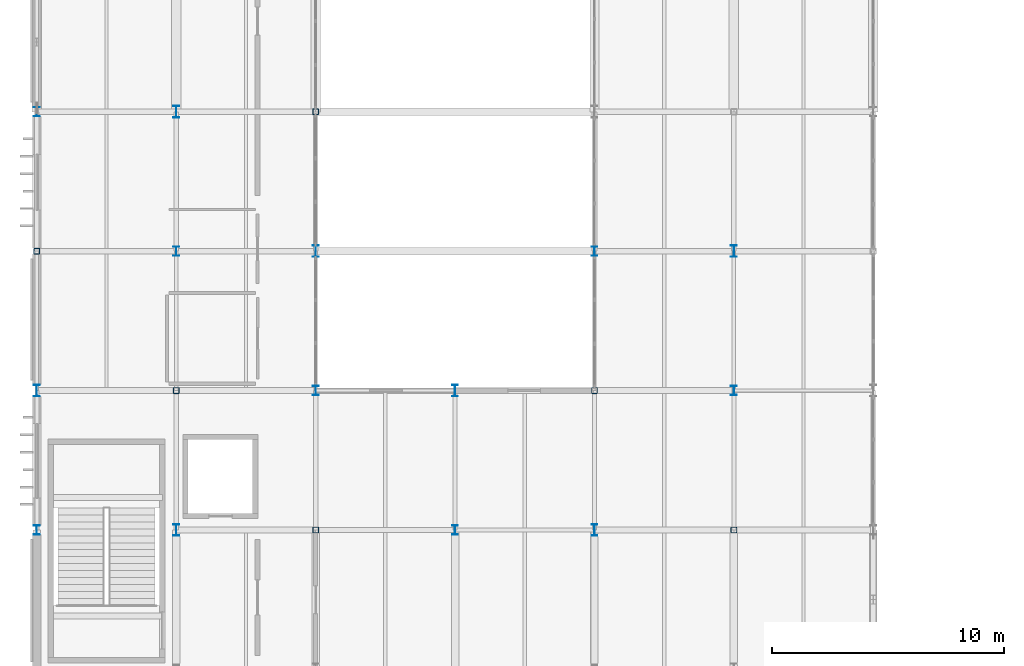
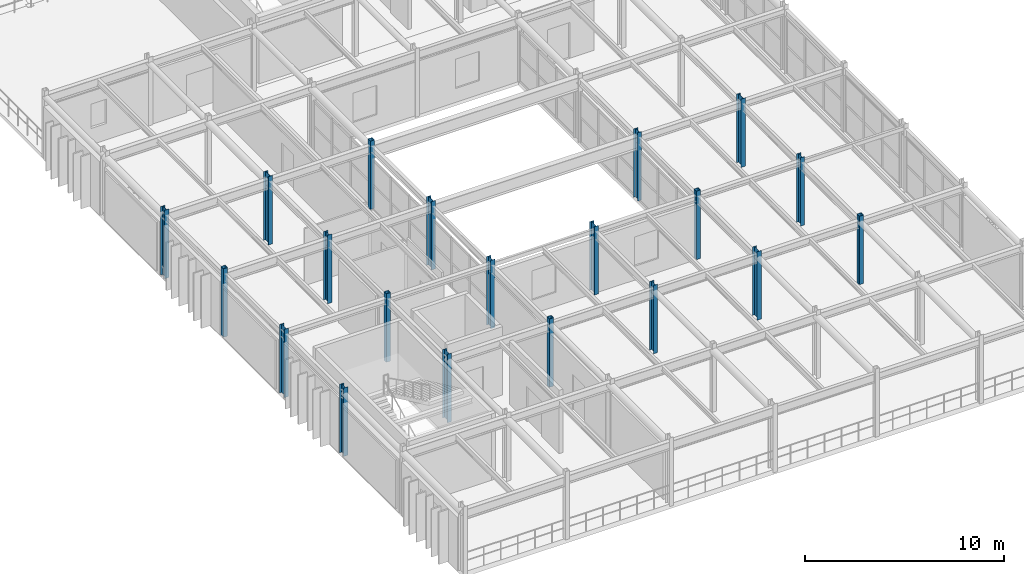
# One storey, part 3 of 83: 20 columns.
"""IFC4 building model written with IfcOpenShell, lengths in metres."""

import ifcopenshell
import ifcopenshell.guid

model = None  # the IFC model being written
_history = None  # IfcOwnerHistory: only IFC2X3 demands one
_inside = {}  # id of a spatial element -> (the spatial element, [elements in it])
_under = {}  # id of a project, library or spatial element -> (it, [spatial elements below it])
_declared = {}  # id of a project -> (the project, [libraries it declares])
_typed = {}  # id of a type object -> (the type object, [elements of that type])
_made_of = {}  # id of a material, layer set ... -> (it, [elements and type objects made of it])


def new_model(schema):
    """Start an empty IFC model of exactly this schema.

    Asked for "IFC4X3", IfcOpenShell would pick the latest addendum, in which some entities
    have other attributes; the version numbers below select the first issue.
    IFC2X3 requires an IfcOwnerHistory on every rooted entity: one is made here for all.
    """
    global model, _history
    if schema == "IFC4X3":
        model = ifcopenshell.file(schema_version=(4, 3, 0, 0))
    else:
        model = ifcopenshell.file(schema=schema)
    _inside.clear()
    _under.clear()
    _declared.clear()
    _typed.clear()
    _made_of.clear()
    _history = None
    if model.schema == "IFC2X3":
        org = make("IfcOrganization", Name="unknown")
        user = make(
            "IfcPersonAndOrganization",
            ThePerson=make("IfcPerson", FamilyName="unknown"),
            TheOrganization=org,
        )
        app = make(
            "IfcApplication",
            ApplicationDeveloper=org,
            Version="unknown",
            ApplicationFullName="unknown",
            ApplicationIdentifier="unknown",
        )
        _history = make(
            "IfcOwnerHistory",
            OwningUser=user,
            OwningApplication=app,
            ChangeAction="ADDED",
            CreationDate=0,
        )
    return model


def make(cls, **values):
    """One entity of the class cls with the attributes given. An attribute that is None is left unset."""
    return model.create_entity(
        cls, **{name: value for name, value in values.items() if value is not None}
    )


def rooted(cls, **values):
    """An entity with a GlobalId (a new one), such as an element, a storey or a relation."""
    return make(cls, GlobalId=ifcopenshell.guid.new(), OwnerHistory=_history, **values)


def si_unit(unit_type, name, prefix=None):
    """IfcSIUnit, for example si_unit("LENGTHUNIT", "METRE", prefix="MILLI")."""
    return make("IfcSIUnit", UnitType=unit_type, Prefix=prefix, Name=name)


def assignment(units):
    """IfcUnitAssignment: the units of a project."""
    return None if units is None else make("IfcUnitAssignment", Units=units)


def point(xyz):
    """IfcCartesianPoint."""
    return None if xyz is None else make("IfcCartesianPoint", Coordinates=xyz)


def direction(xyz):
    """IfcDirection."""
    return None if xyz is None else make("IfcDirection", DirectionRatios=xyz)


def frame(location, z_axis=None, x_axis=None):
    """IfcAxis2Placement3D, a coordinate frame: its origin and axes. An axis left out is left unset."""
    return make(
        "IfcAxis2Placement3D",
        Location=point(location),
        Axis=direction(z_axis),
        RefDirection=direction(x_axis),
    )


def frame_2d(location, x_axis=None):
    """IfcAxis2Placement2D, a coordinate frame in the plane: its origin and x axis."""
    return make(
        "IfcAxis2Placement2D", Location=point(location), RefDirection=direction(x_axis)
    )


def origin():
    """The frame at (0, 0, 0) with its axes left unset."""
    return frame((0.0, 0.0, 0.0))


def origin_2d():
    """The frame at (0, 0) in the plane with its x axis left unset."""
    return frame_2d((0.0, 0.0))


def place(relative_to, where):
    """IfcLocalPlacement: puts the frame where relative to a parent placement (None: the world)."""
    return make(
        "IfcLocalPlacement", PlacementRelTo=relative_to, RelativePlacement=where
    )


def context(
    kind, dimensions, precision=None, world=None, true_north=None, identifier=None
):
    """IfcGeometricRepresentationContext, for example the 3D "Model" context."""
    return make(
        "IfcGeometricRepresentationContext",
        ContextIdentifier=identifier,
        ContextType=kind,
        CoordinateSpaceDimension=dimensions,
        Precision=precision,
        WorldCoordinateSystem=world,
        TrueNorth=true_north,
    )


def subcontext(parent, identifier, kind, view, scale=None):
    """IfcGeometricRepresentationSubContext, for example "Body" below "Model"."""
    return make(
        "IfcGeometricRepresentationSubContext",
        ContextIdentifier=identifier,
        ContextType=kind,
        ParentContext=parent,
        TargetScale=scale,
        TargetView=view,
    )


def project(units=None, contexts=None):
    """IfcProject with its units and contexts."""
    return rooted(
        "IfcProject",
        Name="project",
        RepresentationContexts=contexts,
        UnitsInContext=assignment(units),
    )


def spatial(cls, under=None, at=None, **own):
    """A site, building, storey or space (cls), placed at a placement, below another one or the project."""
    s = rooted(cls, ObjectPlacement=at, **own)
    if under is not None:
        _under.setdefault(under.id(), (under, []))[1].append(s)
    return s


def profile(cls, at=None, kind="AREA", **sizes):
    """A parametric profile (cls). Its sizes go by their IFC names, for example OverallWidth=200.0."""
    return make(cls, ProfileType=kind, Position=at, **sizes)


def hollow_rectangle(**sizes):
    """IfcRectangleHollowProfileDef."""
    return profile("IfcRectangleHollowProfileDef", **sizes)


def i_section(**sizes):
    """IfcIShapeProfileDef."""
    return profile("IfcIShapeProfileDef", **sizes)


def extrude(swept, where, along, depth):
    """IfcExtrudedAreaSolid: the profile swept, set in the frame where, extruded along a direction by depth."""
    return make(
        "IfcExtrudedAreaSolid",
        SweptArea=swept,
        Position=where,
        ExtrudedDirection=direction(along),
        Depth=depth,
    )


def shape(context_of_items, identifier, shape_type, items):
    """IfcShapeRepresentation: the items that make up one representation, for example the "Body"."""
    return make(
        "IfcShapeRepresentation",
        ContextOfItems=context_of_items,
        RepresentationIdentifier=identifier,
        RepresentationType=shape_type,
        Items=items,
    )


def material(Name=None, Category=None):
    """IfcMaterial."""
    return make("IfcMaterial", Name=Name, Category=Category)


def material_profile(
    of_material, cross_section, Name=None, Category=None, Priority=None
):
    """IfcMaterialProfile: a cross section and its material."""
    return make(
        "IfcMaterialProfile",
        Name=Name,
        Material=of_material,
        Profile=cross_section,
        Priority=Priority,
        Category=Category,
    )


def profile_set(profiles, Name=None, composite=None):
    """IfcMaterialProfileSet."""
    return make(
        "IfcMaterialProfileSet",
        Name=Name,
        MaterialProfiles=profiles,
        CompositeProfile=composite,
    )


def made_of(thing, what):
    """Note that an element or type object is made of a material, layer set ...; save() writes the relation."""
    if what is not None:
        _made_of.setdefault(what.id(), (what, []))[1].append(thing)
    return thing


def type_object(cls, material=None, **own):
    """A type object (cls), such as IfcWallType, which elements share."""
    return made_of(rooted(cls, **own), material)


def element(
    cls,
    number,
    at=None,
    inside=None,
    cuts=None,
    type_object=None,
    material=None,
    context=None,
    identifier="Body",
    shape_type=None,
    held_by="IfcProductDefinitionShape",
    body=None,
    shapes=None,
    **own,
):
    """One element of the class cls, such as IfcWall. Its Tag is "e" and its number.

    at: its placement. inside: the storey or other place that contains it. cuts: it is an
    opening in that element (IfcRelVoidsElement). A single representation is given by context,
    identifier, shape_type and body (its items); several are given by shapes. held_by: the class
    of the entity that holds the representations. save() writes the other relations.
    """
    e = rooted(cls, Tag="e%d" % number, ObjectPlacement=at, **own)
    if body is not None:
        shapes = [shape(context, identifier, shape_type, body)]
    if shapes is not None:
        e.Representation = make(held_by, Representations=shapes)
    if inside is not None:
        _inside.setdefault(inside.id(), (inside, []))[1].append(e)
    if cuts is not None:
        rooted(
            "IfcRelVoidsElement", RelatingBuildingElement=cuts, RelatedOpeningElement=e
        )
    if type_object is not None:
        _typed.setdefault(type_object.id(), (type_object, []))[1].append(e)
    return made_of(e, material)


def aggregate(whole, parts):
    """IfcRelAggregates: a whole, such as a stair, and the parts it consists of."""
    return rooted("IfcRelAggregates", RelatingObject=whole, RelatedObjects=parts)


def save(model, path):
    """Write the relations noted so far, then the file.

    IfcRelAggregates (storeys below a building ...), IfcRelContainedInSpatialStructure (elements
    in a storey), IfcRelDefinesByType, IfcRelAssociatesMaterial and IfcRelDeclares: one each for
    every whole, place, type object, material and project.
    """
    for whole, parts in _under.values():
        aggregate(whole, parts)
    for where, things in _inside.values():
        rooted(
            "IfcRelContainedInSpatialStructure",
            RelatedElements=things,
            RelatingStructure=where,
        )
    for kind, things in _typed.values():
        rooted("IfcRelDefinesByType", RelatedObjects=things, RelatingType=kind)
    for what, things in _made_of.values():
        rooted("IfcRelAssociatesMaterial", RelatedObjects=things, RelatingMaterial=what)
    for by, libraries in _declared.values():
        rooted("IfcRelDeclares", RelatingContext=by, RelatedDefinitions=libraries)
    model.write(path)


model = new_model("IFC4")

# Units and contexts
model_context = context("Model", 3, precision=1e-05, world=origin(), true_north=direction((0.0, 1.0)))
body_context = subcontext(model_context, "Body", "Model", "MODEL_VIEW")
ifc_project = project(units=[si_unit("LENGTHUNIT", "METRE"), si_unit("AREAUNIT", "SQUARE_METRE"), si_unit("VOLUMEUNIT", "CUBIC_METRE"), si_unit("PLANEANGLEUNIT", "RADIAN"), si_unit("MASSUNIT", "GRAM", prefix="KILO")], contexts=[model_context])

# Site, building, storey
site_placement = place(None, origin())
site = spatial("IfcSite", under=ifc_project, at=site_placement, CompositionType="ELEMENT")
building_placement = place(site_placement, origin())
building = spatial("IfcBuilding", under=site, at=building_placement, Name="Varnakota Square Police Headquarters", CompositionType="ELEMENT")
storey_placement = place(building_placement, frame((0.0, 0.0, 18.0)))
storey = spatial("IfcBuildingStorey", under=building, at=storey_placement, Name="L04", CompositionType="ELEMENT", Elevation=18.0)

# Columns
ifc_material = material(Name="Steel IS 2062 Grade 350", Category="steel")
ifc_material_profile_1 = material_profile(ifc_material, i_section(OverallWidth=0.25, OverallDepth=0.39990234375, WebThickness=0.010498046875, FlangeThickness=0.0126953125, FilletRadius=0.013916015625, at=origin_2d()), Name="ISHB 400")
ifc_profile_set_1 = profile_set([ifc_material_profile_1], Name="Steel IS 2062 Grade 350")
column_type_1 = type_object("IfcColumnType", Name="COL-ISHB400", PredefinedType="COLUMN", material=ifc_profile_set_1)
for number, where, z_axis, x_axis, name in (
    (1, (6.0, 33.0, 0.0), (0.0, 0.0, 1.0), (1.0, 0.0, 0.0), "Column X0060-Y0330 L04"),
    (2, (6.0, 51.0, 0.0), (0.0, 0.0, 1.0), (1.0, 0.0, 0.0), "Column X0060-Y0510 L04"),
    (3, (12.0, 45.0, 0.0), (0.0, 0.0, 1.0), (1.0, 0.0, 0.0), "Column X0120-Y0450 L04"),
    (4, (18.0, 39.0, 0.0), (0.0, 0.0, 1.0), (1.0, 0.0, 0.0), "Column X0180-Y0390 L04"),
    (5, (24.0, 33.0, 0.0), (0.0, 0.0, 1.0), (1.0, 0.0, 0.0), "Column X0240-Y0330 L04"),
    (6, (30.0, 45.0, 0.0), (0.0, 0.0, 1.0), (1.0, 0.0, 0.0), "Column X0300-Y0450 L04"),
    (7, (36.0, 39.0, 0.0), (0.0, 0.0, 1.0), (1.0, 0.0, 0.0), "Column X0360-Y0390 L04"),
):
    element("IfcColumn", number, at=place(storey_placement, frame(where, z_axis=z_axis, x_axis=x_axis)), inside=storey, type_object=column_type_1, Name=name, PredefinedType="COLUMN", context=body_context, shape_type="SweptSolid", body=[
        extrude(i_section(OverallWidth=0.25, OverallDepth=0.39990234375, WebThickness=0.010498046875, FlangeThickness=0.0126953125, FilletRadius=0.013916015625, at=origin_2d()), origin(), (0.0, 0.0, 1.0), 4.199951171875),
    ])
ifc_material_profile_2 = material_profile(ifc_material, i_section(OverallWidth=0.25, OverallDepth=0.5, WebThickness=0.010009765625, FlangeThickness=0.0146484375, FilletRadius=0.014892578125, at=origin_2d()), Name="ISWB 500")
ifc_profile_set_2 = profile_set([ifc_material_profile_2], Name="Steel IS 2062 Grade 350")
column_type_2 = type_object("IfcColumnType", Name="COL-ISWB500", PredefinedType="COLUMN", material=ifc_profile_set_2)
for number, where, z_axis, x_axis, name in (
    (8, (6.0, 39.0, 0.0), (0.0, 0.0, 1.0), (1.0, 0.0, 0.0), "Column X0060-Y0390 L04"),
    (9, (12.0, 33.0, 0.0), (0.0, 0.0, 1.0), (1.0, 0.0, 0.0), "Column X0120-Y0330 L04"),
    (10, (12.0, 51.0, 0.0), (0.0, 0.0, 1.0), (1.0, 0.0, 0.0), "Column X0120-Y0510 L04"),
    (11, (18.0, 45.0, 0.0), (0.0, 0.0, 1.0), (1.0, 0.0, 0.0), "Column X0180-Y0450 L04"),
    (12, (24.0, 39.0, 0.0), (0.0, 0.0, 1.0), (1.0, 0.0, 0.0), "Column X0240-Y0390 L04"),
    (13, (30.0, 33.0, 0.0), (0.0, 0.0, 1.0), (1.0, 0.0, 0.0), "Column X0300-Y0330 L04"),
    (14, (36.0, 45.0, 0.0), (0.0, 0.0, 1.0), (1.0, 0.0, 0.0), "Column X0360-Y0450 L04"),
):
    element("IfcColumn", number, at=place(storey_placement, frame(where, z_axis=z_axis, x_axis=x_axis)), inside=storey, type_object=column_type_2, Name=name, PredefinedType="COLUMN", context=body_context, shape_type="SweptSolid", body=[
        extrude(i_section(OverallWidth=0.25, OverallDepth=0.5, WebThickness=0.010009765625, FlangeThickness=0.0146484375, FilletRadius=0.014892578125, at=origin_2d()), origin(), (0.0, 0.0, 1.0), 4.199951171875),
    ])
ifc_material_profile_3 = material_profile(ifc_material, hollow_rectangle(XDim=0.25, YDim=0.25, WallThickness=0.011962890625, InnerFilletRadius=0.011962890625, OuterFilletRadius=0.02392578125, at=origin_2d()), Name="SHS 250x250x12")
ifc_profile_set_3 = profile_set([ifc_material_profile_3], Name="Steel IS 2062 Grade 350")
column_type_3 = type_object("IfcColumnType", Name="COL-SHS250", PredefinedType="COLUMN", material=ifc_profile_set_3)
for number, where, z_axis, x_axis, name in (
    (15, (6.0, 45.0, 0.0), (0.0, 0.0, 1.0), (1.0, 0.0, 0.0), "Column X0060-Y0450 L04"),
    (16, (12.0, 39.0, 0.0), (0.0, 0.0, 1.0), (1.0, 0.0, 0.0), "Column X0120-Y0390 L04"),
    (17, (18.0, 33.0, 0.0), (0.0, 0.0, 1.0), (1.0, 0.0, 0.0), "Column X0180-Y0330 L04"),
    (18, (18.0, 51.0, 0.0), (0.0, 0.0, 1.0), (1.0, 0.0, 0.0), "Column X0180-Y0510 L04"),
    (19, (30.0, 39.0, 0.0), (0.0, 0.0, 1.0), (1.0, 0.0, 0.0), "Column X0300-Y0390 L04"),
    (20, (36.0, 33.0, 0.0), (0.0, 0.0, 1.0), (1.0, 0.0, 0.0), "Column X0360-Y0330 L04"),
):
    element("IfcColumn", number, at=place(storey_placement, frame(where, z_axis=z_axis, x_axis=x_axis)), inside=storey, type_object=column_type_3, Name=name, PredefinedType="COLUMN", context=body_context, shape_type="SweptSolid", body=[
        extrude(hollow_rectangle(XDim=0.25, YDim=0.25, WallThickness=0.011962890625, InnerFilletRadius=0.011962890625, OuterFilletRadius=0.02392578125, at=origin_2d()), origin(), (0.0, 0.0, 1.0), 4.199951171875),
    ])

save(model, "model.ifc")
